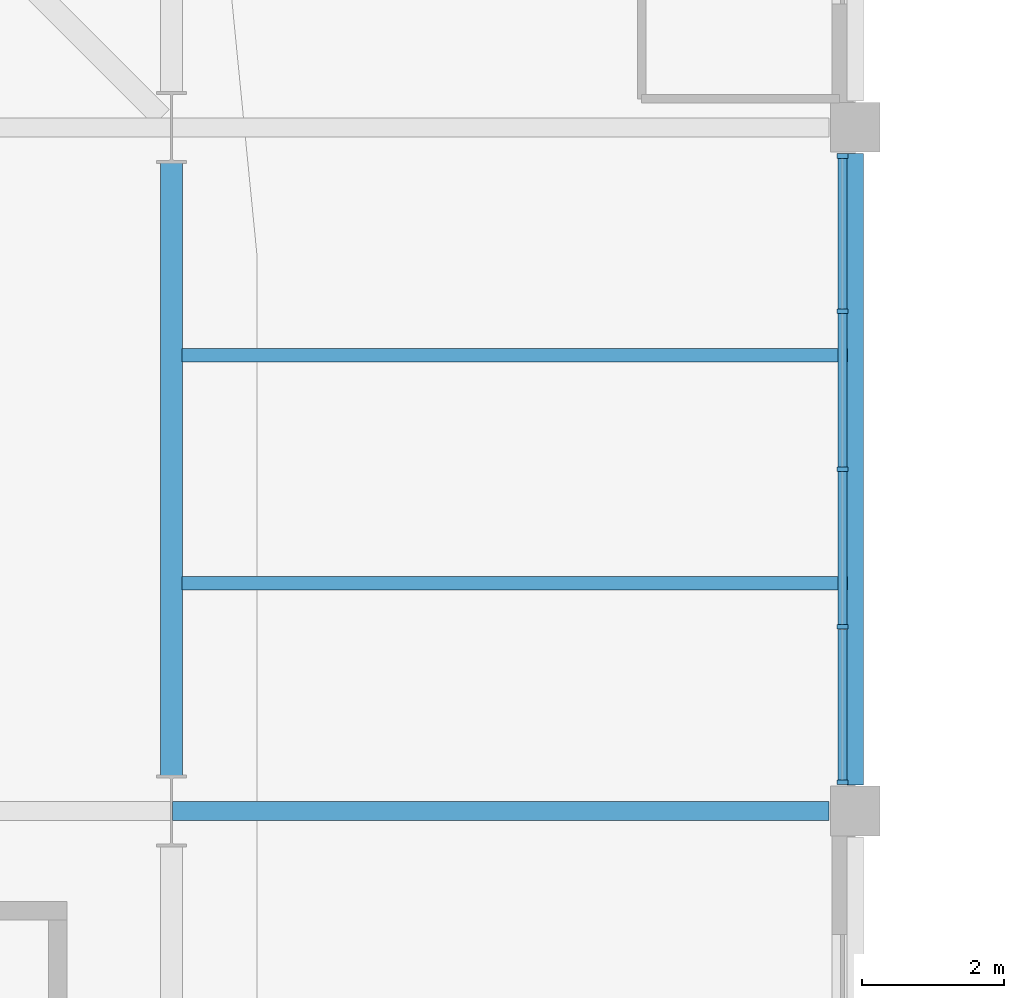
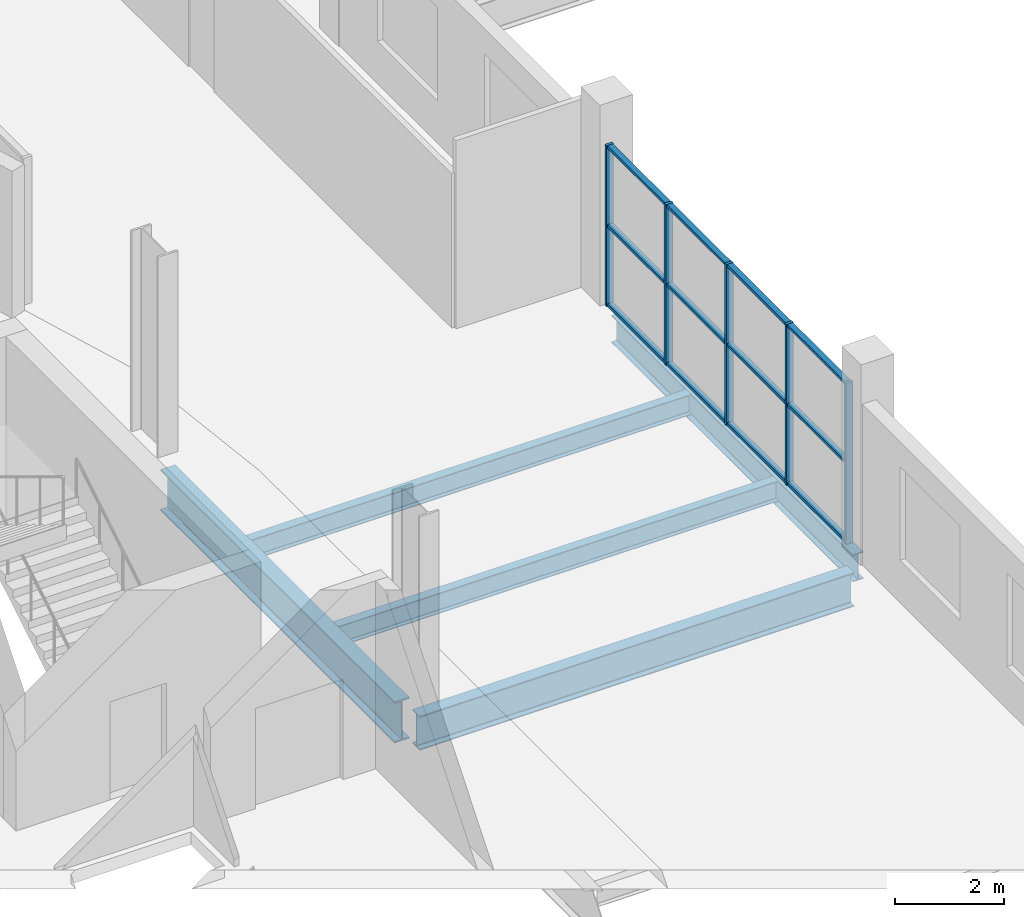
# One storey, part 32 of 92: 17 members, 5 beams, 1 element without a shape of its own.
"""IFC4 building model written with IfcOpenShell, lengths in metres."""

import ifcopenshell
import ifcopenshell.guid

model = None  # the IFC model being written
_history = None  # IfcOwnerHistory: only IFC2X3 demands one
_inside = {}  # id of a spatial element -> (the spatial element, [elements in it])
_under = {}  # id of a project, library or spatial element -> (it, [spatial elements below it])
_declared = {}  # id of a project -> (the project, [libraries it declares])
_typed = {}  # id of a type object -> (the type object, [elements of that type])
_made_of = {}  # id of a material, layer set ... -> (it, [elements and type objects made of it])


def new_model(schema):
    """Start an empty IFC model of exactly this schema.

    Asked for "IFC4X3", IfcOpenShell would pick the latest addendum, in which some entities
    have other attributes; the version numbers below select the first issue.
    IFC2X3 requires an IfcOwnerHistory on every rooted entity: one is made here for all.
    """
    global model, _history
    if schema == "IFC4X3":
        model = ifcopenshell.file(schema_version=(4, 3, 0, 0))
    else:
        model = ifcopenshell.file(schema=schema)
    _inside.clear()
    _under.clear()
    _declared.clear()
    _typed.clear()
    _made_of.clear()
    _history = None
    if model.schema == "IFC2X3":
        org = make("IfcOrganization", Name="unknown")
        user = make(
            "IfcPersonAndOrganization",
            ThePerson=make("IfcPerson", FamilyName="unknown"),
            TheOrganization=org,
        )
        app = make(
            "IfcApplication",
            ApplicationDeveloper=org,
            Version="unknown",
            ApplicationFullName="unknown",
            ApplicationIdentifier="unknown",
        )
        _history = make(
            "IfcOwnerHistory",
            OwningUser=user,
            OwningApplication=app,
            ChangeAction="ADDED",
            CreationDate=0,
        )
    return model


def make(cls, **values):
    """One entity of the class cls with the attributes given. An attribute that is None is left unset."""
    return model.create_entity(
        cls, **{name: value for name, value in values.items() if value is not None}
    )


def rooted(cls, **values):
    """An entity with a GlobalId (a new one), such as an element, a storey or a relation."""
    return make(cls, GlobalId=ifcopenshell.guid.new(), OwnerHistory=_history, **values)


def si_unit(unit_type, name, prefix=None):
    """IfcSIUnit, for example si_unit("LENGTHUNIT", "METRE", prefix="MILLI")."""
    return make("IfcSIUnit", UnitType=unit_type, Prefix=prefix, Name=name)


def assignment(units):
    """IfcUnitAssignment: the units of a project."""
    return None if units is None else make("IfcUnitAssignment", Units=units)


def point(xyz):
    """IfcCartesianPoint."""
    return None if xyz is None else make("IfcCartesianPoint", Coordinates=xyz)


def direction(xyz):
    """IfcDirection."""
    return None if xyz is None else make("IfcDirection", DirectionRatios=xyz)


def frame(location, z_axis=None, x_axis=None):
    """IfcAxis2Placement3D, a coordinate frame: its origin and axes. An axis left out is left unset."""
    return make(
        "IfcAxis2Placement3D",
        Location=point(location),
        Axis=direction(z_axis),
        RefDirection=direction(x_axis),
    )


def frame_2d(location, x_axis=None):
    """IfcAxis2Placement2D, a coordinate frame in the plane: its origin and x axis."""
    return make(
        "IfcAxis2Placement2D", Location=point(location), RefDirection=direction(x_axis)
    )


def origin():
    """The frame at (0, 0, 0) with its axes left unset."""
    return frame((0.0, 0.0, 0.0))


def origin_2d():
    """The frame at (0, 0) in the plane with its x axis left unset."""
    return frame_2d((0.0, 0.0))


def place(relative_to, where):
    """IfcLocalPlacement: puts the frame where relative to a parent placement (None: the world)."""
    return make(
        "IfcLocalPlacement", PlacementRelTo=relative_to, RelativePlacement=where
    )


def context(
    kind, dimensions, precision=None, world=None, true_north=None, identifier=None
):
    """IfcGeometricRepresentationContext, for example the 3D "Model" context."""
    return make(
        "IfcGeometricRepresentationContext",
        ContextIdentifier=identifier,
        ContextType=kind,
        CoordinateSpaceDimension=dimensions,
        Precision=precision,
        WorldCoordinateSystem=world,
        TrueNorth=true_north,
    )


def subcontext(parent, identifier, kind, view, scale=None):
    """IfcGeometricRepresentationSubContext, for example "Body" below "Model"."""
    return make(
        "IfcGeometricRepresentationSubContext",
        ContextIdentifier=identifier,
        ContextType=kind,
        ParentContext=parent,
        TargetScale=scale,
        TargetView=view,
    )


def project(units=None, contexts=None):
    """IfcProject with its units and contexts."""
    return rooted(
        "IfcProject",
        Name="project",
        RepresentationContexts=contexts,
        UnitsInContext=assignment(units),
    )


def spatial(cls, under=None, at=None, **own):
    """A site, building, storey or space (cls), placed at a placement, below another one or the project."""
    s = rooted(cls, ObjectPlacement=at, **own)
    if under is not None:
        _under.setdefault(under.id(), (under, []))[1].append(s)
    return s


def profile(cls, at=None, kind="AREA", **sizes):
    """A parametric profile (cls). Its sizes go by their IFC names, for example OverallWidth=200.0."""
    return make(cls, ProfileType=kind, Position=at, **sizes)


def rectangle(**sizes):
    """IfcRectangleProfileDef."""
    return profile("IfcRectangleProfileDef", **sizes)


def i_section(**sizes):
    """IfcIShapeProfileDef."""
    return profile("IfcIShapeProfileDef", **sizes)


def extrude(swept, where, along, depth):
    """IfcExtrudedAreaSolid: the profile swept, set in the frame where, extruded along a direction by depth."""
    return make(
        "IfcExtrudedAreaSolid",
        SweptArea=swept,
        Position=where,
        ExtrudedDirection=direction(along),
        Depth=depth,
    )


def shape(context_of_items, identifier, shape_type, items):
    """IfcShapeRepresentation: the items that make up one representation, for example the "Body"."""
    return make(
        "IfcShapeRepresentation",
        ContextOfItems=context_of_items,
        RepresentationIdentifier=identifier,
        RepresentationType=shape_type,
        Items=items,
    )


def material(Name=None, Category=None):
    """IfcMaterial."""
    return make("IfcMaterial", Name=Name, Category=Category)


def layer(
    of_material, thickness, ventilated=None, Name=None, Category=None, Priority=None
):
    """IfcMaterialLayer: one layer of a wall or slab, of a material (None: an air gap)."""
    return make(
        "IfcMaterialLayer",
        Material=of_material,
        LayerThickness=thickness,
        IsVentilated=ventilated,
        Name=Name,
        Category=Category,
        Priority=Priority,
    )


def layer_set(layers, Name=None):
    """IfcMaterialLayerSet."""
    return make("IfcMaterialLayerSet", MaterialLayers=layers, LayerSetName=Name)


def material_profile(
    of_material, cross_section, Name=None, Category=None, Priority=None
):
    """IfcMaterialProfile: a cross section and its material."""
    return make(
        "IfcMaterialProfile",
        Name=Name,
        Material=of_material,
        Profile=cross_section,
        Priority=Priority,
        Category=Category,
    )


def profile_set(profiles, Name=None, composite=None):
    """IfcMaterialProfileSet."""
    return make(
        "IfcMaterialProfileSet",
        Name=Name,
        MaterialProfiles=profiles,
        CompositeProfile=composite,
    )


def made_of(thing, what):
    """Note that an element or type object is made of a material, layer set ...; save() writes the relation."""
    if what is not None:
        _made_of.setdefault(what.id(), (what, []))[1].append(thing)
    return thing


def type_object(cls, material=None, **own):
    """A type object (cls), such as IfcWallType, which elements share."""
    return made_of(rooted(cls, **own), material)


def element(
    cls,
    number,
    at=None,
    inside=None,
    cuts=None,
    type_object=None,
    material=None,
    context=None,
    identifier="Body",
    shape_type=None,
    held_by="IfcProductDefinitionShape",
    body=None,
    shapes=None,
    **own,
):
    """One element of the class cls, such as IfcWall. Its Tag is "e" and its number.

    at: its placement. inside: the storey or other place that contains it. cuts: it is an
    opening in that element (IfcRelVoidsElement). A single representation is given by context,
    identifier, shape_type and body (its items); several are given by shapes. held_by: the class
    of the entity that holds the representations. save() writes the other relations.
    """
    e = rooted(cls, Tag="e%d" % number, ObjectPlacement=at, **own)
    if body is not None:
        shapes = [shape(context, identifier, shape_type, body)]
    if shapes is not None:
        e.Representation = make(held_by, Representations=shapes)
    if inside is not None:
        _inside.setdefault(inside.id(), (inside, []))[1].append(e)
    if cuts is not None:
        rooted(
            "IfcRelVoidsElement", RelatingBuildingElement=cuts, RelatedOpeningElement=e
        )
    if type_object is not None:
        _typed.setdefault(type_object.id(), (type_object, []))[1].append(e)
    return made_of(e, material)


def aggregate(whole, parts):
    """IfcRelAggregates: a whole, such as a stair, and the parts it consists of."""
    return rooted("IfcRelAggregates", RelatingObject=whole, RelatedObjects=parts)


def save(model, path):
    """Write the relations noted so far, then the file.

    IfcRelAggregates (storeys below a building ...), IfcRelContainedInSpatialStructure (elements
    in a storey), IfcRelDefinesByType, IfcRelAssociatesMaterial and IfcRelDeclares: one each for
    every whole, place, type object, material and project.
    """
    for whole, parts in _under.values():
        aggregate(whole, parts)
    for where, things in _inside.values():
        rooted(
            "IfcRelContainedInSpatialStructure",
            RelatedElements=things,
            RelatingStructure=where,
        )
    for kind, things in _typed.values():
        rooted("IfcRelDefinesByType", RelatedObjects=things, RelatingType=kind)
    for what, things in _made_of.values():
        rooted("IfcRelAssociatesMaterial", RelatedObjects=things, RelatingMaterial=what)
    for by, libraries in _declared.values():
        rooted("IfcRelDeclares", RelatingContext=by, RelatedDefinitions=libraries)
    model.write(path)


model = new_model("IFC4")

# Units and contexts
model_context = context("Model", 3, precision=1e-05, world=origin(), true_north=direction((0.0, 1.0)))
body_context = subcontext(model_context, "Body", "Model", "MODEL_VIEW")
ifc_project = project(units=[si_unit("LENGTHUNIT", "METRE"), si_unit("AREAUNIT", "SQUARE_METRE"), si_unit("VOLUMEUNIT", "CUBIC_METRE"), si_unit("PLANEANGLEUNIT", "RADIAN"), si_unit("MASSUNIT", "GRAM", prefix="KILO")], contexts=[model_context])

# Site, building, storey
site_placement = place(None, origin())
site = spatial("IfcSite", under=ifc_project, at=site_placement, CompositionType="ELEMENT")
building_placement = place(site_placement, origin())
building = spatial("IfcBuilding", under=site, at=building_placement, Name="Caelomonte Colonnade Arena", CompositionType="ELEMENT")
storey_placement = place(building_placement, frame((0.0, 0.0, 9.60009765625)))
storey = spatial("IfcBuildingStorey", under=building, at=storey_placement, Name="L02", CompositionType="ELEMENT", Elevation=9.60009765625)

# Curtain wall, members
ifc_material_1 = material(Name="Bronze anodised aluminium and low-E glazing", Category="aluminium")
ifc_layer = layer(ifc_material_1, 0.179931640625)
ifc_layer_set = layer_set([ifc_layer], Name="Bronze anodised aluminium and low-E glazing")
curtain_wall_type = type_object("IfcCurtainWallType", Name="ENV-CW-CW-L02-96-36", PredefinedType="USERDEFINED", material=ifc_layer_set)
curtain_wall_placement = place(storey_placement, origin())
curtain_wall = element("IfcCurtainWall", 1, at=curtain_wall_placement, inside=storey, type_object=curtain_wall_type, Name="L02 unitized curtain wall CW-L02-1726-0912", ObjectType="UNITIZED CURTAIN WALL", PredefinedType="USERDEFINED")
ifc_material_2 = material(Name="Bronze anodised aluminium AA6063-T6", Category="aluminium")
ifc_material_profile_1 = material_profile(ifc_material_2, rectangle(XDim=0.06494140625, YDim=0.14990234375, at=origin_2d()), Name="CWM-65X150")
ifc_profile_set_1 = profile_set([ifc_material_profile_1], Name="Bronze anodised aluminium AA6063-T6")
member_type_1 = type_object("IfcMemberType", Name="ENV-CW-MULL2", PredefinedType="MULLION", material=ifc_profile_set_1)
member_1_placement = place(storey_placement, frame((172.6201171875, 86.802490234375, 0.0), z_axis=(0.0, 0.0, 1.0), x_axis=(0.0, 1.0, 0.0)))
member_1 = element("IfcMember", 2, at=member_1_placement, type_object=member_type_1, Name="CW-L02-96-36 mullion 1", PredefinedType="MULLION", context=body_context, shape_type="SweptSolid", body=[
    extrude(rectangle(XDim=0.06494140625, YDim=0.14990234375, at=origin_2d()), origin(), (0.0, 0.0, 1.0), 3.61279296875),
])
member_2_placement = place(storey_placement, frame((172.6201171875, 88.985107421875, 0.0), z_axis=(0.0, 0.0, 1.0), x_axis=(0.0, 1.0, 0.0)))
member_2 = element("IfcMember", 3, at=member_2_placement, type_object=member_type_1, Name="CW-L02-96-36 mullion 2", PredefinedType="MULLION", context=body_context, shape_type="SweptSolid", body=[
    extrude(rectangle(XDim=0.06494140625, YDim=0.14990234375, at=origin_2d()), origin(), (0.0, 0.0, 1.0), 3.61279296875),
])
member_3_placement = place(storey_placement, frame((172.6201171875, 91.199951171875, 0.0), z_axis=(0.0, 0.0, 1.0), x_axis=(0.0, 1.0, 0.0)))
member_3 = element("IfcMember", 4, at=member_3_placement, type_object=member_type_1, Name="CW-L02-96-36 mullion 3", PredefinedType="MULLION", context=body_context, shape_type="SweptSolid", body=[
    extrude(rectangle(XDim=0.06494140625, YDim=0.14990234375, at=origin_2d()), origin(), (0.0, 0.0, 1.0), 3.61279296875),
])
member_4_placement = place(storey_placement, frame((172.6201171875, 93.4150390625, 0.0), z_axis=(0.0, 0.0, 1.0), x_axis=(0.0, 1.0, 0.0)))
member_4 = element("IfcMember", 5, at=member_4_placement, type_object=member_type_1, Name="CW-L02-96-36 mullion 4", PredefinedType="MULLION", context=body_context, shape_type="SweptSolid", body=[
    extrude(rectangle(XDim=0.06494140625, YDim=0.14990234375, at=origin_2d()), origin(), (0.0, 0.0, 1.0), 3.61279296875),
])
member_5_placement = place(storey_placement, frame((172.6201171875, 95.597412109375, 0.0), z_axis=(0.0, 0.0, 1.0), x_axis=(0.0, 1.0, 0.0)))
member_5 = element("IfcMember", 6, at=member_5_placement, type_object=member_type_1, Name="CW-L02-96-36 mullion 5", PredefinedType="MULLION", context=body_context, shape_type="SweptSolid", body=[
    extrude(rectangle(XDim=0.06494140625, YDim=0.14990234375, at=origin_2d()), origin(), (0.0, 0.0, 1.0), 3.61279296875),
])
ifc_material_profile_2 = material_profile(ifc_material_2, rectangle(XDim=0.06494140625, YDim=0.1201171875, at=origin_2d()), Name="CWT-65X120")
ifc_profile_set_2 = profile_set([ifc_material_profile_2], Name="Bronze anodised aluminium AA6063-T6")
member_type_2 = type_object("IfcMemberType", Name="ENV-CW-TRAN2", PredefinedType="USERDEFINED", material=ifc_profile_set_2)
member_6_placement = place(storey_placement, frame((172.6201171875, 86.8349609375, 0.032470703125), z_axis=(0.0, 1.0, 0.0), x_axis=(0.0, 0.0, 1.0)))
member_6 = element("IfcMember", 7, at=member_6_placement, type_object=member_type_2, Name="CW-L02-96-36 transom 1.1", ObjectType="TRANSOM", PredefinedType="USERDEFINED", context=body_context, shape_type="SweptSolid", body=[
    extrude(rectangle(XDim=0.06494140625, YDim=0.1201171875, at=origin_2d()), origin(), (0.0, 0.0, 1.0), 2.117431640625),
])
member_7_placement = place(storey_placement, frame((172.6201171875, 86.8349609375, 1.806396484375), z_axis=(0.0, 1.0, 0.0), x_axis=(0.0, 0.0, 1.0)))
member_7 = element("IfcMember", 8, at=member_7_placement, type_object=member_type_2, Name="CW-L02-96-36 transom 1.2", ObjectType="TRANSOM", PredefinedType="USERDEFINED", context=body_context, shape_type="SweptSolid", body=[
    extrude(rectangle(XDim=0.06494140625, YDim=0.1201171875, at=origin_2d()), origin(), (0.0, 0.0, 1.0), 2.117431640625),
])
member_8_placement = place(storey_placement, frame((172.6201171875, 86.8349609375, 3.580322265625), z_axis=(0.0, 1.0, 0.0), x_axis=(0.0, 0.0, 1.0)))
member_8 = element("IfcMember", 9, at=member_8_placement, type_object=member_type_2, Name="CW-L02-96-36 transom 1.3", ObjectType="TRANSOM", PredefinedType="USERDEFINED", context=body_context, shape_type="SweptSolid", body=[
    extrude(rectangle(XDim=0.06494140625, YDim=0.1201171875, at=origin_2d()), origin(), (0.0, 0.0, 1.0), 2.117431640625),
])
member_9_placement = place(storey_placement, frame((172.6201171875, 89.017578125, 0.032470703125), z_axis=(0.0, 1.0, 0.0), x_axis=(0.0, 0.0, 1.0)))
member_9 = element("IfcMember", 10, at=member_9_placement, type_object=member_type_2, Name="CW-L02-96-36 transom 2.1", ObjectType="TRANSOM", PredefinedType="USERDEFINED", context=body_context, shape_type="SweptSolid", body=[
    extrude(rectangle(XDim=0.06494140625, YDim=0.1201171875, at=origin_2d()), origin(), (0.0, 0.0, 1.0), 2.14990234375),
])
member_10_placement = place(storey_placement, frame((172.6201171875, 89.017578125, 1.806396484375), z_axis=(0.0, 1.0, 0.0), x_axis=(0.0, 0.0, 1.0)))
member_10 = element("IfcMember", 11, at=member_10_placement, type_object=member_type_2, Name="CW-L02-96-36 transom 2.2", ObjectType="TRANSOM", PredefinedType="USERDEFINED", context=body_context, shape_type="SweptSolid", body=[
    extrude(rectangle(XDim=0.06494140625, YDim=0.1201171875, at=origin_2d()), origin(), (0.0, 0.0, 1.0), 2.14990234375),
])
member_11_placement = place(storey_placement, frame((172.6201171875, 89.017578125, 3.580322265625), z_axis=(0.0, 1.0, 0.0), x_axis=(0.0, 0.0, 1.0)))
member_11 = element("IfcMember", 12, at=member_11_placement, type_object=member_type_2, Name="CW-L02-96-36 transom 2.3", ObjectType="TRANSOM", PredefinedType="USERDEFINED", context=body_context, shape_type="SweptSolid", body=[
    extrude(rectangle(XDim=0.06494140625, YDim=0.1201171875, at=origin_2d()), origin(), (0.0, 0.0, 1.0), 2.14990234375),
])
member_12_placement = place(storey_placement, frame((172.6201171875, 91.232421875, 0.032470703125), z_axis=(0.0, 1.0, 0.0), x_axis=(0.0, 0.0, 1.0)))
member_12 = element("IfcMember", 13, at=member_12_placement, type_object=member_type_2, Name="CW-L02-96-36 transom 3.1", ObjectType="TRANSOM", PredefinedType="USERDEFINED", context=body_context, shape_type="SweptSolid", body=[
    extrude(rectangle(XDim=0.06494140625, YDim=0.1201171875, at=origin_2d()), origin(), (0.0, 0.0, 1.0), 2.150146484375),
])
member_13_placement = place(storey_placement, frame((172.6201171875, 91.232421875, 1.806396484375), z_axis=(0.0, 1.0, 0.0), x_axis=(0.0, 0.0, 1.0)))
member_13 = element("IfcMember", 14, at=member_13_placement, type_object=member_type_2, Name="CW-L02-96-36 transom 3.2", ObjectType="TRANSOM", PredefinedType="USERDEFINED", context=body_context, shape_type="SweptSolid", body=[
    extrude(rectangle(XDim=0.06494140625, YDim=0.1201171875, at=origin_2d()), origin(), (0.0, 0.0, 1.0), 2.150146484375),
])
member_14_placement = place(storey_placement, frame((172.6201171875, 91.232421875, 3.580322265625), z_axis=(0.0, 1.0, 0.0), x_axis=(0.0, 0.0, 1.0)))
member_14 = element("IfcMember", 15, at=member_14_placement, type_object=member_type_2, Name="CW-L02-96-36 transom 3.3", ObjectType="TRANSOM", PredefinedType="USERDEFINED", context=body_context, shape_type="SweptSolid", body=[
    extrude(rectangle(XDim=0.06494140625, YDim=0.1201171875, at=origin_2d()), origin(), (0.0, 0.0, 1.0), 2.150146484375),
])
member_15_placement = place(storey_placement, frame((172.6201171875, 93.447509765625, 0.032470703125), z_axis=(0.0, 1.0, 0.0), x_axis=(0.0, 0.0, 1.0)))
member_15 = element("IfcMember", 16, at=member_15_placement, type_object=member_type_2, Name="CW-L02-96-36 transom 4.1", ObjectType="TRANSOM", PredefinedType="USERDEFINED", context=body_context, shape_type="SweptSolid", body=[
    extrude(rectangle(XDim=0.06494140625, YDim=0.1201171875, at=origin_2d()), origin(), (0.0, 0.0, 1.0), 2.117431640625),
])
member_16_placement = place(storey_placement, frame((172.6201171875, 93.447509765625, 1.806396484375), z_axis=(0.0, 1.0, 0.0), x_axis=(0.0, 0.0, 1.0)))
member_16 = element("IfcMember", 17, at=member_16_placement, type_object=member_type_2, Name="CW-L02-96-36 transom 4.2", ObjectType="TRANSOM", PredefinedType="USERDEFINED", context=body_context, shape_type="SweptSolid", body=[
    extrude(rectangle(XDim=0.06494140625, YDim=0.1201171875, at=origin_2d()), origin(), (0.0, 0.0, 1.0), 2.117431640625),
])
member_17_placement = place(storey_placement, frame((172.6201171875, 93.447509765625, 3.580322265625), z_axis=(0.0, 1.0, 0.0), x_axis=(0.0, 0.0, 1.0)))
member_17 = element("IfcMember", 18, at=member_17_placement, type_object=member_type_2, Name="CW-L02-96-36 transom 4.3", ObjectType="TRANSOM", PredefinedType="USERDEFINED", context=body_context, shape_type="SweptSolid", body=[
    extrude(rectangle(XDim=0.06494140625, YDim=0.1201171875, at=origin_2d()), origin(), (0.0, 0.0, 1.0), 2.117431640625),
])
aggregate(curtain_wall, [member_1, member_2, member_3, member_4, member_5, member_6, member_7, member_8, member_9, member_10, member_11, member_12, member_13, member_14, member_15, member_16, member_17])

# Beams
ifc_material_3 = material(Name="Wide-flange steel ASTM A992 Grade 50", Category="steel")
ifc_material_profile_3 = material_profile(ifc_material_3, i_section(OverallWidth=0.307861328125, OverallDepth=0.927001953125, WebThickness=0.019287109375, FlangeThickness=0.031982421875, FilletRadius=0.020263671875, at=origin_2d()), Name="W36X194")
ifc_profile_set_3 = profile_set([ifc_material_profile_3], Name="Wide-flange steel ASTM A992 Grade 50")
beam_type_1 = type_object("IfcBeamType", Name="STR-BM-EAVES2", PredefinedType="SPANDREL", material=ifc_profile_set_3)
beam_1_placement = place(storey_placement, frame((163.199951171875, 86.8974609375, -0.74365234375), z_axis=(0.0, 1.0, 0.0), x_axis=(-1.0, 0.0, 0.0)))
element("IfcBeam", 19, at=beam_1_placement, inside=storey, type_object=beam_type_1, Name="L02 girder BMY-L02-1632-0864", PredefinedType="SPANDREL", context=body_context, shape_type="SweptSolid", body=[
    extrude(i_section(OverallWidth=0.307861328125, OverallDepth=0.927001953125, WebThickness=0.019287109375, FlangeThickness=0.031982421875, FilletRadius=0.020263671875, at=origin_2d()), origin(), (0.0, 0.0, 1.0), 8.60498046875),
])
ifc_material_profile_4 = material_profile(ifc_material_3, i_section(OverallWidth=0.228271484375, OverallDepth=0.607177734375, WebThickness=0.01123046875, FlangeThickness=0.017333984375, FilletRadius=0.0126953125, at=origin_2d()), Name="W24X76")
ifc_profile_set_4 = profile_set([ifc_material_profile_4], Name="Wide-flange steel ASTM A992 Grade 50")
beam_type_2 = type_object("IfcBeamType", Name="STR-BM-GIRD24", PredefinedType="BEAM", material=ifc_profile_set_4)
beam_2_placement = place(storey_placement, frame((172.800048828125, 86.76708984375, -0.58349609375), z_axis=(0.0, 1.0, 0.0), x_axis=(-1.0, 0.0, 0.0)))
element("IfcBeam", 20, at=beam_2_placement, inside=storey, type_object=beam_type_2, Name="L02 girder BMY-L02-1728-0864", PredefinedType="BEAM", context=body_context, shape_type="SweptSolid", body=[
    extrude(i_section(OverallWidth=0.228271484375, OverallDepth=0.607177734375, WebThickness=0.01123046875, FlangeThickness=0.017333984375, FilletRadius=0.0126953125, at=origin_2d()), origin(), (0.0, 0.0, 1.0), 8.865966796875),
])
ifc_material_profile_5 = material_profile(ifc_material_3, i_section(OverallWidth=0.2666015625, OverallDepth=0.761962890625, WebThickness=0.014404296875, FlangeThickness=0.021484375, FilletRadius=0.0166015625, at=origin_2d()), Name="W30X116")
ifc_profile_set_5 = profile_set([ifc_material_profile_5], Name="Wide-flange steel ASTM A992 Grade 50")
beam_type_3 = type_object("IfcBeamType", Name="STR-BM-GIRD30", PredefinedType="BEAM", material=ifc_profile_set_5)
beam_3_placement = place(storey_placement, frame((163.2119140625, 86.39990234375, -0.6611328125), z_axis=(1.0, 0.0, 0.0), x_axis=(0.0, 1.0, 0.0)))
element("IfcBeam", 21, at=beam_3_placement, inside=storey, type_object=beam_type_3, Name="L02 girder BMX-L02-1632-0864", PredefinedType="BEAM", context=body_context, shape_type="SweptSolid", body=[
    extrude(i_section(OverallWidth=0.2666015625, OverallDepth=0.761962890625, WebThickness=0.014404296875, FlangeThickness=0.021484375, FilletRadius=0.0166015625, at=origin_2d()), origin(), (0.0, 0.0, 1.0), 9.22119140625),
])
ifc_material_profile_6 = material_profile(ifc_material_3, i_section(OverallWidth=0.1904296875, OverallDepth=0.457275390625, WebThickness=0.009033203125, FlangeThickness=0.014404296875, FilletRadius=0.01025390625, at=origin_2d()), Name="W18X50")
ifc_profile_set_6 = profile_set([ifc_material_profile_6], Name="Wide-flange steel ASTM A992 Grade 50")
beam_type_4 = type_object("IfcBeamType", Name="STR-BM-JOIST18", PredefinedType="JOIST", material=ifc_profile_set_6)
for number, where, z_axis, x_axis, name in (
    (22, (163.348876953125, 89.60009765625, -0.5087890625), (1.0, 0.0, 0.0), (0.0, 1.0, 0.0), "L02 secondary joist 1"),
    (23, (163.348876953125, 92.800048828125, -0.5087890625), (1.0, 0.0, 0.0), (0.0, 1.0, 0.0), "L02 secondary joist 2"),
):
    element("IfcBeam", number, at=place(storey_placement, frame(where, z_axis=z_axis, x_axis=x_axis)), inside=storey, type_object=beam_type_4, Name=name, PredefinedType="JOIST", context=body_context, shape_type="SweptSolid", body=[
        extrude(i_section(OverallWidth=0.1904296875, OverallDepth=0.457275390625, WebThickness=0.009033203125, FlangeThickness=0.014404296875, FilletRadius=0.01025390625, at=origin_2d()), origin(), (0.0, 0.0, 1.0), 9.342041015625),
    ])

save(model, "model.ifc")
